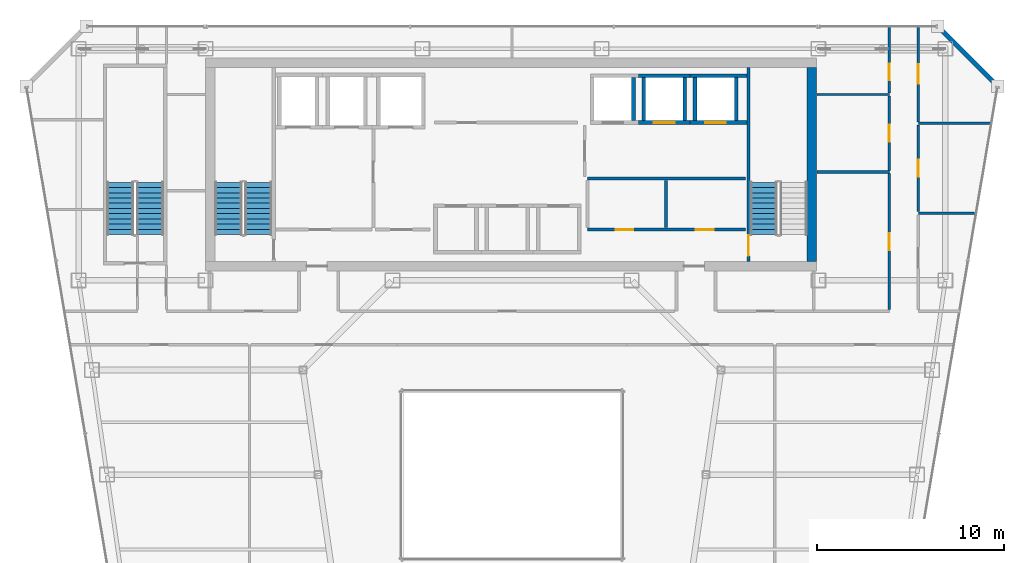
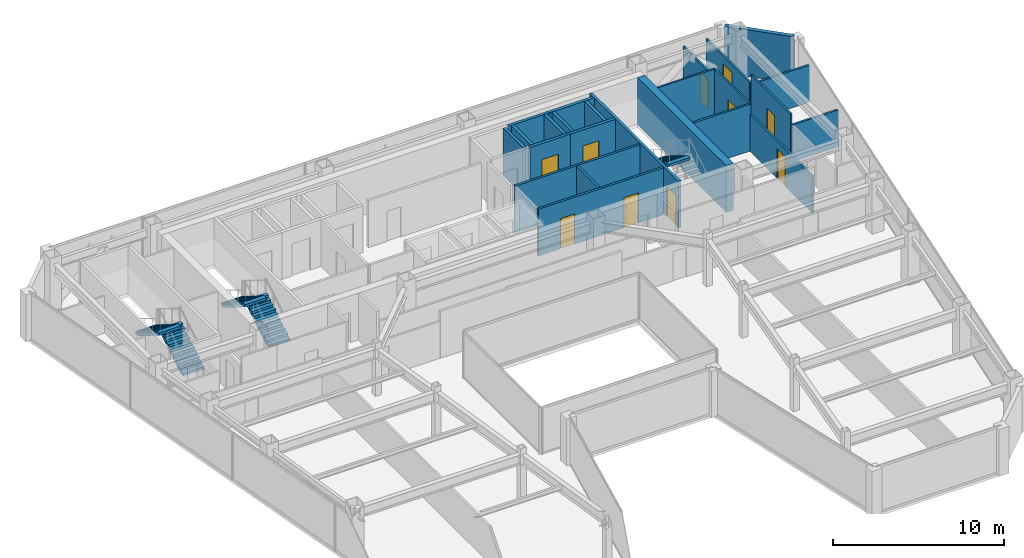
# One storey, part 30 of 34: 24 walls, 10 doors, 5 stair flights, 10 openings, 3 elements without a shape of their own.
"""IFC4 building model written with IfcOpenShell, lengths in metres."""

from ifc_helpers import new_model, si_unit, direction, frame, frame_2d, origin, place, context, subcontext, project, spatial, polyline, rectangle, outline, extrude, material, layer, layer_set, type_object, element, fill, aggregate, save


model = new_model("IFC4")

# Units and contexts
model_context = context("Model", 3, precision=1e-05, world=origin(), true_north=direction((0.0, 1.0)))
body_context = subcontext(model_context, "Body", "Model", "MODEL_VIEW")
ifc_project = project(units=[si_unit("LENGTHUNIT", "METRE"), si_unit("AREAUNIT", "SQUARE_METRE"), si_unit("VOLUMEUNIT", "CUBIC_METRE"), si_unit("PLANEANGLEUNIT", "RADIAN"), si_unit("MASSUNIT", "GRAM", prefix="KILO")], contexts=[model_context])

# Site, building, storey
site_placement = place(None, origin())
site = spatial("IfcSite", under=ifc_project, at=site_placement, CompositionType="ELEMENT")
building_placement = place(site_placement, origin())
building = spatial("IfcBuilding", under=site, at=building_placement, Name="Saevonmaru Cultural Tower", CompositionType="ELEMENT")
storey_placement = place(building_placement, frame((0.0, 0.0, 220.800048828125)))
storey = spatial("IfcBuildingStorey", under=building, at=storey_placement, Name="L51", CompositionType="ELEMENT", Elevation=220.800048828125)

# Wall
ifc_material_1 = material(Name="Concrete C60/75", Category="concrete")
ifc_layer_1 = layer(ifc_material_1, 0.5, Name="Concrete C60/75")
ifc_layer_set_1 = layer_set([ifc_layer_1], Name="Concrete C60/75")
wall_type_1 = type_object("IfcWallType", Name="WL-CORE-500", PredefinedType="SHEAR", material=ifc_layer_set_1)
wall_1_placement = place(storey_placement, frame((46.050048828125, 43.39990234375, 0.0), z_axis=(0.0, 0.0, 1.0), x_axis=(0.0, 1.0, 0.0)))
element("IfcWall", 1, at=wall_1_placement, inside=storey, type_object=wall_type_1, Name="L51 Tower RC core shear wall E", PredefinedType="SHEAR", context=body_context, shape_type="SweptSolid", body=[
    extrude(rectangle(XDim=10.400146484375, YDim=0.5, at=frame_2d((5.2001953125, 0.0))), origin(), (0.0, 0.0, 1.0), 3.349853515625),
])

# Wall, openings, doors
ifc_material_2 = material(Name="Gypsum Fireboard Partition", Category="gypsum")
ifc_layer_2 = layer(ifc_material_2, 0.14990234375, Name="Gypsum Fireboard Partition")
ifc_layer_set_2 = layer_set([ifc_layer_2], Name="Gypsum Fireboard Partition")
wall_type_2 = type_object("IfcWallType", Name="WL-CORE-PART-150", PredefinedType="PARTITIONING", material=ifc_layer_set_2)
wall_2_placement = place(storey_placement, frame((34.050048828125, 45.1201171875, 0.0), z_axis=(0.0, 0.0, 1.0), x_axis=(1.0, 0.0, 0.0)))
wall_2 = element("IfcWall", 2, at=wall_2_placement, inside=storey, type_object=wall_type_2, Name="L51 Core Plant South Wall", PredefinedType="PARTITIONING", context=body_context, shape_type="SweptSolid", body=[
    extrude(rectangle(XDim=8.449951171875, YDim=0.14990234375, at=frame_2d((4.22509765625, 0.0))), origin(), (0.0, 0.0, 1.0), 3.349853515625),
])
opening_1_placement = place(wall_2_placement, frame((1.5, 0.0, 0.0)))
opening_1 = element("IfcOpeningElement", 3, at=opening_1_placement, cuts=wall_2, Name="Opening FD-4", PredefinedType="OPENING", context=body_context, shape_type="SweptSolid", body=[
    extrude(rectangle(XDim=0.949951171875, YDim=2.14990234375, at=frame_2d((0.47509765625, 1.074951171875))), frame((0.0, 0.0849609375, 0.0), z_axis=(0.0, -1.0, 0.0), x_axis=(1.0, 0.0, 0.0)), (0.0, 0.0, 1.0), 0.169921875),
])
opening_2_placement = place(wall_2_placement, frame((5.800048828125, 0.0, 0.0)))
opening_2 = element("IfcOpeningElement", 4, at=opening_2_placement, cuts=wall_2, Name="Opening FD-4", PredefinedType="OPENING", context=body_context, shape_type="SweptSolid", body=[
    extrude(rectangle(XDim=0.949951171875, YDim=2.14990234375, at=frame_2d((0.47509765625, 1.074951171875))), frame((0.0, 0.0849609375, 0.0), z_axis=(0.0, -1.0, 0.0), x_axis=(1.0, 0.0, 0.0)), (0.0, 0.0, 1.0), 0.169921875),
])
ifc_material_3 = material(Name="Satin Bronze Anodised Aluminium", Category="aluminium")
door_type_1 = type_object("IfcDoorType", Name="DR-FD60-950", OperationType="SINGLE_SWING_LEFT", PredefinedType="DOOR", material=ifc_material_3)
door_1_placement = place(opening_1_placement, origin())
door_1 = element("IfcDoor", 5, at=door_1_placement, inside=storey, type_object=door_type_1, Name="L51 Floor AHU Plant Door", OperationType="SINGLE_SWING_LEFT", OverallHeight=2.14990234375, OverallWidth=0.949951171875, PredefinedType="DOOR", context=body_context, shape_type="SweptSolid", body=[
    extrude(rectangle(XDim=0.949951171875, YDim=2.14990234375, at=frame_2d((0.47509765625, 1.074951171875))), frame((0.0, 0.02490234375, 0.0), z_axis=(0.0, -1.0, 0.0), x_axis=(1.0, 0.0, 0.0)), (0.0, 0.0, 1.0), 0.050048828125),
])
fill(opening_1, door_1)
door_2_placement = place(opening_2_placement, origin())
door_2 = element("IfcDoor", 6, at=door_2_placement, inside=storey, type_object=door_type_1, Name="L51 Housekeeping Storage Door", OperationType="SINGLE_SWING_LEFT", OverallHeight=2.14990234375, OverallWidth=0.949951171875, PredefinedType="DOOR", context=body_context, shape_type="SweptSolid", body=[
    extrude(rectangle(XDim=0.949951171875, YDim=2.14990234375, at=frame_2d((0.47509765625, 1.074951171875))), frame((0.0, 0.02490234375, 0.0), z_axis=(0.0, -1.0, 0.0), x_axis=(1.0, 0.0, 0.0)), (0.0, 0.0, 1.0), 0.050048828125),
])
fill(opening_2, door_2)

# Walls
wall_3_placement = place(storey_placement, frame((34.050048828125, 47.85009765625, 0.0), z_axis=(0.0, 0.0, 1.0), x_axis=(1.0, 0.0, 0.0)))
element("IfcWall", 7, at=wall_3_placement, inside=storey, type_object=wall_type_2, Name="L51 Core Plant North Wall", PredefinedType="PARTITIONING", context=body_context, shape_type="SweptSolid", body=[
    extrude(rectangle(XDim=8.449951171875, YDim=0.14990234375, at=frame_2d((4.22509765625, 0.0))), origin(), (0.0, 0.0, 1.0), 3.349853515625),
])
wall_4_placement = place(storey_placement, frame((38.25, 45.219970703125, 0.0), z_axis=(0.0, 0.0, 1.0), x_axis=(0.0, 1.0, 0.0)))
element("IfcWall", 8, at=wall_4_placement, inside=storey, type_object=wall_type_2, Name="L51 Core Plant Split", PredefinedType="PARTITIONING", context=body_context, shape_type="SweptSolid", body=[
    extrude(rectangle(XDim=2.530029296875, YDim=0.14990234375, at=frame_2d((1.26513671875, 0.0))), origin(), (0.0, 0.0, 1.0), 3.349853515625),
])
ifc_material_4 = material(Name="Granite-Clad Precast Concrete C40/50", Category="masonry")
ifc_layer_3 = layer(ifc_material_4, 0.260009765625, Name="Granite-Clad Precast Concrete C40/50")
ifc_layer_set_3 = layer_set([ifc_layer_3], Name="Granite-Clad Precast Concrete C40/50")
wall_type_3 = type_object("IfcWallType", Name="WL-EXT-SPANDREL-260", PredefinedType="STANDARD", material=ifc_layer_set_3)
wall_5_placement = place(storey_placement, frame((55.886962890625, 52.9130859375, 0.0), z_axis=(0.0, 0.0, 1.0), x_axis=(-0.707106781187, 0.707106781187, 0.0)))
element("IfcWall", 9, at=wall_5_placement, inside=storey, type_object=wall_type_3, Name="L51 Chamfer Corner Spandrel Wall E9", PredefinedType="STANDARD", context=body_context, shape_type="SweptSolid", body=[
    extrude(rectangle(XDim=4.205810546875, YDim=0.260009765625, at=frame_2d((2.10302734375, 0.0))), origin(), (0.0, 0.0, 1.0), 3.349853515625),
])
ifc_layer_4 = layer(ifc_material_2, 0.1201171875, Name="Gypsum Fireboard Partition")
ifc_layer_set_4 = layer_set([ifc_layer_4], Name="Gypsum Fireboard Partition")
wall_type_4 = type_object("IfcWallType", Name="WL-PART-GYP-120", PredefinedType="PARTITIONING", material=ifc_layer_set_4)
wall_6_placement = place(storey_placement, frame((46.320068359375, 52.35009765625, 0.0), z_axis=(0.0, 0.0, 1.0), x_axis=(1.0, 0.0, 0.0)))
element("IfcWall", 10, at=wall_6_placement, inside=storey, type_object=wall_type_4, Name="L51 North-East Panorama South Wall", PredefinedType="PARTITIONING", context=body_context, shape_type="SweptSolid", body=[
    extrude(rectangle(XDim=3.8798828125, YDim=0.1201171875, at=frame_2d((1.93994140625, 0.0))), origin(), (0.0, 0.0, 1.0), 3.349853515625),
])

# Wall, opening, door
wall_7_placement = place(storey_placement, frame((50.199951171875, 48.2900390625, 0.0), z_axis=(0.0, 0.0, 1.0), x_axis=(0.0, 1.0, 0.0)))
wall_7 = element("IfcWall", 11, at=wall_7_placement, inside=storey, type_object=wall_type_4, Name="L51 Design Seminar Classroom Corridor Wall", PredefinedType="PARTITIONING", context=body_context, shape_type="SweptSolid", body=[
    extrude(rectangle(XDim=3.97998046875, YDim=0.1201171875, at=frame_2d((1.989990234375, 0.0))), origin(), (0.0, 0.0, 1.0), 3.349853515625),
])
opening_3_placement = place(wall_7_placement, frame((1.5400390625, 0.0, 0.0)))
opening_3 = element("IfcOpeningElement", 12, at=opening_3_placement, cuts=wall_7, Name="Opening ID-2", PredefinedType="OPENING", context=body_context, shape_type="SweptSolid", body=[
    extrude(rectangle(XDim=0.89990234375, YDim=2.10009765625, at=frame_2d((0.449951171875, 1.050048828125))), frame((0.0, 0.070068359375, 0.0), z_axis=(0.0, -1.0, 0.0), x_axis=(1.0, 0.0, 0.0)), (0.0, 0.0, 1.0), 0.14013671875),
])
ifc_material_5 = material(Name="Acoustic Stained Oak Timber", Category="wood")
door_type_2 = type_object("IfcDoorType", Name="DR-INT-900", OperationType="SINGLE_SWING_RIGHT", PredefinedType="DOOR", material=ifc_material_5)
door_3_placement = place(opening_3_placement, origin())
door_3 = element("IfcDoor", 13, at=door_3_placement, inside=storey, type_object=door_type_2, Name="L51 Design Seminar Classroom Door", OperationType="SINGLE_SWING_LEFT", OverallHeight=2.10009765625, OverallWidth=0.89990234375, PredefinedType="DOOR", context=body_context, shape_type="SweptSolid", body=[
    extrude(rectangle(XDim=0.89990234375, YDim=2.10009765625, at=frame_2d((0.449951171875, 1.050048828125))), frame((0.0, 0.02490234375, 0.0), z_axis=(0.0, -1.0, 0.0), x_axis=(1.0, 0.0, 0.0)), (0.0, 0.0, 1.0), 0.050048828125),
])
fill(opening_3, door_3)

wall_8_placement = place(storey_placement, frame((50.199951171875, 52.429931640625, 0.0), z_axis=(0.0, 0.0, 1.0), x_axis=(0.0, 1.0, 0.0)))
wall_8 = element("IfcWall", 14, at=wall_8_placement, inside=storey, type_object=wall_type_4, Name="L51 Printmaking Workshop Classroom Corridor Wall", PredefinedType="PARTITIONING", context=body_context, shape_type="SweptSolid", body=[
    extrude(rectangle(XDim=3.565185546875, YDim=0.1201171875, at=frame_2d((1.78271484375, 0.0))), origin(), (0.0, 0.0, 1.0), 2.73486328125),
])
opening_4_placement = place(wall_8_placement, frame((0.672119140625, 0.0, 0.0)))
opening_4 = element("IfcOpeningElement", 15, at=opening_4_placement, cuts=wall_8, Name="Opening ID-2", PredefinedType="OPENING", context=body_context, shape_type="SweptSolid", body=[
    extrude(rectangle(XDim=0.89990234375, YDim=2.10009765625, at=frame_2d((0.449951171875, 1.050048828125))), frame((0.0, 0.070068359375, 0.0), z_axis=(0.0, -1.0, 0.0), x_axis=(1.0, 0.0, 0.0)), (0.0, 0.0, 1.0), 0.14013671875),
])
door_4_placement = place(opening_4_placement, origin())
door_4 = element("IfcDoor", 16, at=door_4_placement, inside=storey, type_object=door_type_2, Name="L51 Printmaking Workshop Classroom Door", OperationType="SINGLE_SWING_RIGHT", OverallHeight=2.10009765625, OverallWidth=0.89990234375, PredefinedType="DOOR", context=body_context, shape_type="SweptSolid", body=[
    extrude(rectangle(XDim=0.89990234375, YDim=2.10009765625, at=frame_2d((0.449951171875, 1.050048828125))), frame((0.0, 0.02490234375, 0.0), z_axis=(0.0, -1.0, 0.0), x_axis=(1.0, 0.0, 0.0)), (0.0, 0.0, 1.0), 0.050048828125),
])
fill(opening_4, door_4)

wall_9_placement = place(storey_placement, frame((51.75, 46.08740234375, 0.0), z_axis=(0.0, 0.0, 1.0), x_axis=(0.0, 1.0, 0.0)))
wall_9 = element("IfcWall", 17, at=wall_9_placement, inside=storey, type_object=wall_type_4, Name="L51 Civic Policy Meeting Room Corridor Wall", PredefinedType="PARTITIONING", context=body_context, shape_type="SweptSolid", body=[
    extrude(rectangle(XDim=4.625, YDim=0.1201171875, at=frame_2d((2.3125, 0.0))), origin(), (0.0, 0.0, 1.0), 3.349853515625),
])
opening_5_placement = place(wall_9_placement, frame((1.863037109375, 0.0, 0.0)))
opening_5 = element("IfcOpeningElement", 18, at=opening_5_placement, cuts=wall_9, Name="Opening ID-2", PredefinedType="OPENING", context=body_context, shape_type="SweptSolid", body=[
    extrude(rectangle(XDim=0.89990234375, YDim=2.10009765625, at=frame_2d((0.449951171875, 1.050048828125))), frame((0.0, 0.070068359375, 0.0), z_axis=(0.0, -1.0, 0.0), x_axis=(1.0, 0.0, 0.0)), (0.0, 0.0, 1.0), 0.14013671875),
])
door_5_placement = place(opening_5_placement, origin())
door_5 = element("IfcDoor", 19, at=door_5_placement, inside=storey, type_object=door_type_2, Name="L51 Civic Policy Meeting Room Door", OperationType="SINGLE_SWING_RIGHT", OverallHeight=2.10009765625, OverallWidth=0.89990234375, PredefinedType="DOOR", context=body_context, shape_type="SweptSolid", body=[
    extrude(rectangle(XDim=0.89990234375, YDim=2.10009765625, at=frame_2d((0.449951171875, 1.050048828125))), frame((0.0, 0.02490234375, 0.0), z_axis=(0.0, -1.0, 0.0), x_axis=(1.0, 0.0, 0.0)), (0.0, 0.0, 1.0), 0.050048828125),
])
fill(opening_5, door_5)

wall_10_placement = place(storey_placement, frame((51.75, 50.887451171875, 0.0), z_axis=(0.0, 0.0, 1.0), x_axis=(0.0, 1.0, 0.0)))
wall_10 = element("IfcWall", 20, at=wall_10_placement, inside=storey, type_object=wall_type_4, Name="L51 Panorama Reading Room Corridor Wall", PredefinedType="PARTITIONING", context=body_context, shape_type="SweptSolid", body=[
    extrude(rectangle(XDim=5.107666015625, YDim=0.1201171875, at=frame_2d((2.5537109375, 0.0))), origin(), (0.0, 0.0, 1.0), 2.73486328125),
])
opening_6_placement = place(wall_10_placement, frame((2.029052734375, 0.0, 0.0)))
opening_6 = element("IfcOpeningElement", 21, at=opening_6_placement, cuts=wall_10, Name="Opening ID-1", PredefinedType="OPENING", context=body_context, shape_type="SweptSolid", body=[
    extrude(rectangle(XDim=1.050048828125, YDim=2.14990234375, at=frame_2d((0.52490234375, 1.074951171875))), frame((0.0, 0.070068359375, 0.0), z_axis=(0.0, -1.0, 0.0), x_axis=(1.0, 0.0, 0.0)), (0.0, 0.0, 1.0), 0.14013671875),
])
door_type_3 = type_object("IfcDoorType", Name="DR-INT-1050", OperationType="SINGLE_SWING_LEFT", PredefinedType="DOOR", material=ifc_material_3)
door_6_placement = place(opening_6_placement, origin())
door_6 = element("IfcDoor", 22, at=door_6_placement, inside=storey, type_object=door_type_3, Name="L51 Panorama Reading Room Door", OperationType="SINGLE_SWING_LEFT", OverallHeight=2.14990234375, OverallWidth=1.050048828125, PredefinedType="DOOR", context=body_context, shape_type="SweptSolid", body=[
    extrude(rectangle(XDim=1.050048828125, YDim=2.14990234375, at=frame_2d((0.52490234375, 1.074951171875))), frame((0.0, 0.02490234375, 0.0), z_axis=(0.0, -1.0, 0.0), x_axis=(1.0, 0.0, 0.0)), (0.0, 0.0, 1.0), 0.050048828125),
])
fill(opening_6, door_6)

# Walls
ifc_layer_5 = layer(ifc_material_2, 0.135009765625, Name="Gypsum Fireboard Partition")
ifc_layer_set_5 = layer_set([ifc_layer_5], Name="Gypsum Fireboard Partition")
wall_type_5 = type_object("IfcWallType", Name="WL-PART-GYP-135", PredefinedType="PARTITIONING", material=ifc_layer_set_5)
wall_11_placement = place(storey_placement, frame((51.75, 46.0, 0.0), z_axis=(0.0, 0.0, 1.0), x_axis=(1.0, 0.0, 0.0)))
element("IfcWall", 23, at=wall_11_placement, inside=storey, type_object=wall_type_5, Name="L51 NE Studio Divider 1", PredefinedType="PARTITIONING", context=body_context, shape_type="SweptSolid", body=[
    extrude(rectangle(XDim=3.09375, YDim=0.135009765625, at=frame_2d((1.546875, 0.0))), origin(), (0.0, 0.0, 1.0), 2.635009765625),
])
wall_12_placement = place(storey_placement, frame((51.75, 50.800048828125, 0.0), z_axis=(0.0, 0.0, 1.0), x_axis=(1.0, 0.0, 0.0)))
element("IfcWall", 24, at=wall_12_placement, inside=storey, type_object=wall_type_5, Name="L51 NE Studio Divider 2", PredefinedType="PARTITIONING", context=body_context, shape_type="SweptSolid", body=[
    extrude(rectangle(XDim=3.90625, YDim=0.135009765625, at=frame_2d((1.953125, 0.0))), origin(), (0.0, 0.0, 1.0), 2.635009765625),
])
ifc_layer_6 = layer(ifc_material_2, 0.139892578125, Name="Gypsum Fireboard Partition")
ifc_layer_set_6 = layer_set([ifc_layer_6], Name="Gypsum Fireboard Partition")
wall_type_6 = type_object("IfcWallType", Name="WL-PART-WET-140", PredefinedType="PARTITIONING", material=ifc_layer_set_6)
wall_13_placement = place(storey_placement, frame((46.320068359375, 48.199951171875, 0.0), z_axis=(0.0, 0.0, 1.0), x_axis=(1.0, 0.0, 0.0)))
element("IfcWall", 25, at=wall_13_placement, inside=storey, type_object=wall_type_6, Name="L51 Washroom North Wall", PredefinedType="PARTITIONING", context=body_context, shape_type="SweptSolid", body=[
    extrude(rectangle(XDim=3.8798828125, YDim=0.139892578125, at=frame_2d((1.93994140625, 0.0))), origin(), (0.0, 0.0, 1.0), 3.349853515625),
])

# Wall, opening, door
wall_14_placement = place(storey_placement, frame((50.199951171875, 40.840087890625, 0.0), z_axis=(0.0, 0.0, 1.0), x_axis=(0.0, 1.0, 0.0)))
wall_14 = element("IfcWall", 26, at=wall_14_placement, inside=storey, type_object=wall_type_6, Name="L51 Washroom Corridor Wall", PredefinedType="PARTITIONING", context=body_context, shape_type="SweptSolid", body=[
    extrude(rectangle(XDim=7.27001953125, YDim=0.139892578125, at=frame_2d((3.635009765625, 0.0))), origin(), (0.0, 0.0, 1.0), 2.635009765625),
])
opening_7_placement = place(wall_14_placement, frame((3.18505859375, 0.0, 0.0)))
opening_7 = element("IfcOpeningElement", 27, at=opening_7_placement, cuts=wall_14, Name="Opening ID-2", PredefinedType="OPENING", context=body_context, shape_type="SweptSolid", body=[
    extrude(rectangle(XDim=0.89990234375, YDim=2.10009765625, at=frame_2d((0.449951171875, 1.050048828125))), frame((0.0, 0.080078125, 0.0), z_axis=(0.0, -1.0, 0.0), x_axis=(1.0, 0.0, 0.0)), (0.0, 0.0, 1.0), 0.159912109375),
])
door_7_placement = place(opening_7_placement, origin())
door_7 = element("IfcDoor", 28, at=door_7_placement, inside=storey, type_object=door_type_2, Name="L51 Public Accessible Washrooms Door", OperationType="SINGLE_SWING_RIGHT", OverallHeight=2.10009765625, OverallWidth=0.89990234375, PredefinedType="DOOR", context=body_context, shape_type="SweptSolid", body=[
    extrude(rectangle(XDim=0.89990234375, YDim=2.10009765625, at=frame_2d((0.449951171875, 1.050048828125))), frame((0.0, 0.02490234375, 0.0), z_axis=(0.0, -1.0, 0.0), x_axis=(1.0, 0.0, 0.0)), (0.0, 0.0, 1.0), 0.050048828125),
])
fill(opening_7, door_7)

# Wall
ifc_material_6 = material(Name="Concrete C40/50", Category="concrete")
ifc_layer_7 = layer(ifc_material_6, 0.199951171875, Name="Concrete C40/50")
ifc_layer_set_7 = layer_set([ifc_layer_7], Name="Concrete C40/50")
wall_type_7 = type_object("IfcWallType", Name="WL-SHAFT-200", PredefinedType="SHEAR", material=ifc_layer_set_7)
wall_15_placement = place(storey_placement, frame((36.5, 50.949951171875, 0.0), z_axis=(0.0, 0.0, 1.0), x_axis=(0.0, 1.0, 0.0)))
element("IfcWall", 29, at=wall_15_placement, inside=storey, type_object=wall_type_7, Name="L51 Lift PL-H1 Hoistway Wall E", PredefinedType="SHEAR", context=body_context, shape_type="SweptSolid", body=[
    extrude(rectangle(XDim=2.300048828125, YDim=0.199951171875, at=frame_2d((1.14990234375, 0.0))), origin(), (0.0, 0.0, 1.0), 3.349853515625),
])

# Wall, opening, door
wall_16_placement = place(storey_placement, frame((36.77490234375, 50.85009765625, 0.0), z_axis=(0.0, 0.0, 1.0), x_axis=(1.0, 0.0, 0.0)))
wall_16 = element("IfcWall", 30, at=wall_16_placement, inside=storey, type_object=wall_type_7, Name="L51 Lift PL-H2 Hoistway Wall S", PredefinedType="SHEAR", context=body_context, shape_type="SweptSolid", body=[
    extrude(rectangle(XDim=2.75, YDim=0.199951171875, at=frame_2d((1.375, 0.0))), origin(), (0.0, 0.0, 1.0), 3.349853515625),
])
opening_8_placement = place(wall_16_placement, frame((0.824951171875, 0.0, 0.0)))
opening_8 = element("IfcOpeningElement", 31, at=opening_8_placement, cuts=wall_16, Name="Opening LD-1", PredefinedType="OPENING", context=body_context, shape_type="SweptSolid", body=[
    extrude(rectangle(XDim=1.10009765625, YDim=2.199951171875, at=frame_2d((0.550048828125, 1.10009765625))), frame((0.0, 0.10986328125, 0.0), z_axis=(0.0, -1.0, 0.0), x_axis=(1.0, 0.0, 0.0)), (0.0, 0.0, 1.0), 0.219970703125),
])
ifc_material_7 = material(Name="Satin Bronze Stainless Steel", Category="steel")
door_type_4 = type_object("IfcDoorType", Name="DR-LIFT-1100", OperationType="SLIDING_TO_LEFT", PredefinedType="DOOR", material=ifc_material_7)
door_8_placement = place(opening_8_placement, origin())
door_8 = element("IfcDoor", 32, at=door_8_placement, inside=storey, type_object=door_type_4, Name="L51 Lift PL-H2 Sliding Landing Door", OperationType="SLIDING_TO_LEFT", OverallHeight=2.199951171875, OverallWidth=1.10009765625, PredefinedType="DOOR", context=body_context, shape_type="SweptSolid", body=[
    extrude(rectangle(XDim=1.10009765625, YDim=2.199951171875, at=frame_2d((0.550048828125, 1.10009765625))), frame((0.0, 0.02490234375, 0.0), z_axis=(0.0, -1.0, 0.0), x_axis=(1.0, 0.0, 0.0)), (0.0, 0.0, 1.0), 0.050048828125),
])
fill(opening_8, door_8)

# Walls
wall_17_placement = place(storey_placement, frame((36.77490234375, 53.35009765625, 0.0), z_axis=(0.0, 0.0, 1.0), x_axis=(1.0, 0.0, 0.0)))
element("IfcWall", 33, at=wall_17_placement, inside=storey, type_object=wall_type_7, Name="L51 Lift PL-H2 Hoistway Wall N", PredefinedType="SHEAR", context=body_context, shape_type="SweptSolid", body=[
    extrude(rectangle(XDim=2.75, YDim=0.199951171875, at=frame_2d((1.375, 0.0))), origin(), (0.0, 0.0, 1.0), 3.349853515625),
])
for number, where, z_axis, x_axis, name in (
    (34, (37.050048828125, 50.949951171875, 0.0), (0.0, 0.0, 1.0), (0.0, 1.0, 0.0), "L51 Lift PL-H2 Hoistway Wall W"),
    (35, (39.25, 50.949951171875, 0.0), (0.0, 0.0, 1.0), (0.0, 1.0, 0.0), "L51 Lift PL-H2 Hoistway Wall E"),
):
    element("IfcWall", number, at=place(storey_placement, frame(where, z_axis=z_axis, x_axis=x_axis)), inside=storey, type_object=wall_type_7, Name=name, PredefinedType="SHEAR", context=body_context, shape_type="SweptSolid", body=[
        extrude(rectangle(XDim=2.300048828125, YDim=0.199951171875, at=frame_2d((1.14990234375, 0.0))), origin(), (0.0, 0.0, 1.0), 3.349853515625),
    ])

# Wall, opening, door
wall_18_placement = place(storey_placement, frame((39.52490234375, 50.85009765625, 0.0), z_axis=(0.0, 0.0, 1.0), x_axis=(1.0, 0.0, 0.0)))
wall_18 = element("IfcWall", 36, at=wall_18_placement, inside=storey, type_object=wall_type_7, Name="L51 Lift PL-H3 Hoistway Wall S", PredefinedType="SHEAR", context=body_context, shape_type="SweptSolid", body=[
    extrude(rectangle(XDim=3.045166015625, YDim=0.199951171875, at=frame_2d((1.5224609375, 0.0))), origin(), (0.0, 0.0, 1.0), 3.349853515625),
])
opening_9_placement = place(wall_18_placement, frame((0.824951171875, 0.0, 0.0)))
opening_9 = element("IfcOpeningElement", 37, at=opening_9_placement, cuts=wall_18, Name="Opening LD-1", PredefinedType="OPENING", context=body_context, shape_type="SweptSolid", body=[
    extrude(rectangle(XDim=1.10009765625, YDim=2.199951171875, at=frame_2d((0.550048828125, 1.10009765625))), frame((0.0, 0.10986328125, 0.0), z_axis=(0.0, -1.0, 0.0), x_axis=(1.0, 0.0, 0.0)), (0.0, 0.0, 1.0), 0.219970703125),
])
door_9_placement = place(opening_9_placement, origin())
door_9 = element("IfcDoor", 38, at=door_9_placement, inside=storey, type_object=door_type_4, Name="L51 Lift PL-H3 Sliding Landing Door", OperationType="SLIDING_TO_LEFT", OverallHeight=2.199951171875, OverallWidth=1.10009765625, PredefinedType="DOOR", context=body_context, shape_type="SweptSolid", body=[
    extrude(rectangle(XDim=1.10009765625, YDim=2.199951171875, at=frame_2d((0.550048828125, 1.10009765625))), frame((0.0, 0.02490234375, 0.0), z_axis=(0.0, -1.0, 0.0), x_axis=(1.0, 0.0, 0.0)), (0.0, 0.0, 1.0), 0.050048828125),
])
fill(opening_9, door_9)

# Walls
wall_19_placement = place(storey_placement, frame((39.52490234375, 53.35009765625, 0.0), z_axis=(0.0, 0.0, 1.0), x_axis=(1.0, 0.0, 0.0)))
element("IfcWall", 39, at=wall_19_placement, inside=storey, type_object=wall_type_7, Name="L51 Lift PL-H3 Hoistway Wall N", PredefinedType="SHEAR", context=body_context, shape_type="SweptSolid", body=[
    extrude(rectangle(XDim=3.045166015625, YDim=0.199951171875, at=frame_2d((1.5224609375, 0.0))), origin(), (0.0, 0.0, 1.0), 3.349853515625),
])
for number, where, z_axis, x_axis, name in (
    (40, (39.800048828125, 50.949951171875, 0.0), (0.0, 0.0, 1.0), (0.0, 1.0, 0.0), "L51 Lift PL-H3 Hoistway Wall W"),
    (41, (42.0, 50.949951171875, 0.0), (0.0, 0.0, 1.0), (0.0, 1.0, 0.0), "L51 Lift PL-H3 Hoistway Wall E"),
):
    element("IfcWall", number, at=place(storey_placement, frame(where, z_axis=z_axis, x_axis=x_axis)), inside=storey, type_object=wall_type_7, Name=name, PredefinedType="SHEAR", context=body_context, shape_type="SweptSolid", body=[
        extrude(rectangle(XDim=2.300048828125, YDim=0.199951171875, at=frame_2d((1.14990234375, 0.0))), origin(), (0.0, 0.0, 1.0), 3.349853515625),
    ])

# Wall, opening, door
ifc_layer_8 = layer(ifc_material_6, 0.179931640625, Name="Concrete C40/50")
ifc_layer_set_8 = layer_set([ifc_layer_8], Name="Concrete C40/50")
wall_type_8 = type_object("IfcWallType", Name="WL-STSHAFT-180", PredefinedType="SHEAR", material=ifc_layer_set_8)
wall_20_placement = place(storey_placement, frame((42.659912109375, 53.800048828125, 0.0), z_axis=(0.0, 0.0, 1.0), x_axis=(0.0, -1.0, 0.0)))
wall_20 = element("IfcWall", 42, at=wall_20_placement, inside=storey, type_object=wall_type_8, Name="L51 Stair ST-2 Structural Shaft Wall 1", PredefinedType="SHEAR", context=body_context, shape_type="SweptSolid", body=[
    extrude(rectangle(XDim=10.400146484375, YDim=0.179931640625, at=frame_2d((5.2001953125, 0.0))), origin(), (0.0, 0.0, 1.0), 3.349853515625),
])
opening_10_placement = place(wall_20_placement, frame((8.989990234375, 0.0, 0.0)))
opening_10 = element("IfcOpeningElement", 43, at=opening_10_placement, cuts=wall_20, Name="Opening FD-2", PredefinedType="OPENING", context=body_context, shape_type="SweptSolid", body=[
    extrude(rectangle(XDim=1.10009765625, YDim=2.14990234375, at=frame_2d((0.550048828125, 1.074951171875))), frame((0.0, 0.10009765625, 0.0), z_axis=(0.0, -1.0, 0.0), x_axis=(1.0, 0.0, 0.0)), (0.0, 0.0, 1.0), 0.199951171875),
])
door_type_5 = type_object("IfcDoorType", Name="DR-FD60-1100", OperationType="SINGLE_SWING_LEFT", PredefinedType="DOOR", material=ifc_material_3)
door_10_placement = place(opening_10_placement, origin())
door_10 = element("IfcDoor", 44, at=door_10_placement, inside=storey, type_object=door_type_5, Name="L51 Protected Stair ST-2 Fire Door", OperationType="SINGLE_SWING_LEFT", OverallHeight=2.14990234375, OverallWidth=1.10009765625, PredefinedType="DOOR", context=body_context, shape_type="SweptSolid", body=[
    extrude(rectangle(XDim=1.10009765625, YDim=2.14990234375, at=frame_2d((0.550048828125, 1.074951171875))), frame((0.0, 0.02490234375, 0.0), z_axis=(0.0, -1.0, 0.0), x_axis=(1.0, 0.0, 0.0)), (0.0, 0.0, 1.0), 0.050048828125),
])
fill(opening_10, door_10)

# Stair, stair flights
stair_type = type_object("IfcStairType", Name="STR-DOGLEG-RC", PredefinedType="HALF_TURN_STAIR", material=ifc_material_6)
stair_1_placement = place(storey_placement, origin())
stair_1 = element("IfcStair", 45, at=stair_1_placement, inside=storey, type_object=stair_type, Name="L51 Protected exit stair ST-1", PredefinedType="HALF_TURN_STAIR")
ifc_material_8 = material(Name="Precast concrete C40/50", Category="concrete")
stair_flight_type = type_object("IfcStairFlightType", Name="STF-PRECAST-180", PredefinedType="STRAIGHT", material=ifc_material_8)
stair_flight_1_placement = place(storey_placement, frame((16.425048828125, 44.85009765625, 0.0), z_axis=(0.0, 0.0, 1.0), x_axis=(0.0, 1.0, 0.0)))
stair_flight_1 = element("IfcStairFlight", 46, at=stair_flight_1_placement, type_object=stair_flight_type, Name="ST-1-L51 flight 1", NumberOfRisers=11, NumberOfTreads=10, PredefinedType="STRAIGHT", RiserHeight=0.172727273, TreadLength=0.28, context=body_context, shape_type="SweptSolid", body=[
    extrude(outline(polyline([(0.0, 0.0), (0.0, 0.172607421875), (0.280029296875, 0.172607421875), (0.280029296875, 0.345458984375), (0.56005859375, 0.345458984375), (0.56005859375, 0.51806640625), (0.840087890625, 0.51806640625), (0.840087890625, 0.69091796875), (1.1201171875, 0.69091796875), (1.1201171875, 0.863525390625), (1.39990234375, 0.863525390625), (1.39990234375, 1.036376953125), (1.679931640625, 1.036376953125), (1.679931640625, 1.208984375), (1.9599609375, 1.208984375), (1.9599609375, 1.3818359375), (2.239990234375, 1.3818359375), (2.239990234375, 1.554443359375), (2.52001953125, 1.554443359375), (2.52001953125, 1.727294921875), (2.800048828125, 1.727294921875), (2.800048828125, 1.89990234375), (2.800048828125, 1.551025390625), (0.285400390625, 0.0), (0.0, 0.0)])), frame((0.0, 0.72509765625, 0.0), z_axis=(0.0, -1.0, 0.0), x_axis=(1.0, 0.0, 0.0)), (0.0, 0.0, 1.0), 1.449951171875),
])
stair_flight_2_placement = place(storey_placement, frame((14.824951171875, 47.64990234375, 1.89990234375), z_axis=(0.0, 0.0, 1.0), x_axis=(0.0, -1.0, 0.0)))
stair_flight_2 = element("IfcStairFlight", 47, at=stair_flight_2_placement, type_object=stair_flight_type, Name="ST-1-L51 flight 2", NumberOfRisers=11, NumberOfTreads=10, PredefinedType="STRAIGHT", RiserHeight=0.172727273, TreadLength=0.28, context=body_context, shape_type="SweptSolid", body=[
    extrude(outline(polyline([(0.0, 0.0), (0.0, 0.172607421875), (0.280029296875, 0.172607421875), (0.280029296875, 0.345458984375), (0.56005859375, 0.345458984375), (0.56005859375, 0.51806640625), (0.840087890625, 0.51806640625), (0.840087890625, 0.69091796875), (1.1201171875, 0.69091796875), (1.1201171875, 0.863525390625), (1.39990234375, 0.863525390625), (1.39990234375, 1.036376953125), (1.679931640625, 1.036376953125), (1.679931640625, 1.208984375), (1.9599609375, 1.208984375), (1.9599609375, 1.3818359375), (2.239990234375, 1.3818359375), (2.239990234375, 1.554443359375), (2.52001953125, 1.554443359375), (2.52001953125, 1.727294921875), (2.800048828125, 1.727294921875), (2.800048828125, 1.89990234375), (2.800048828125, 1.551025390625), (0.285400390625, 0.0), (0.0, 0.0)])), frame((0.0, 0.72509765625, 0.0), z_axis=(0.0, -1.0, 0.0), x_axis=(1.0, 0.0, 0.0)), (0.0, 0.0, 1.0), 1.449951171875),
])
aggregate(stair_1, [stair_flight_1, stair_flight_2])

# Stair, stair flight
stair_2_placement = place(storey_placement, origin())
stair_2 = element("IfcStair", 48, at=stair_2_placement, inside=storey, type_object=stair_type, Name="L51 Protected exit stair ST-2", PredefinedType="HALF_TURN_STAIR")
stair_flight_3_placement = place(storey_placement, frame((43.47509765625, 47.64990234375, 1.89990234375), z_axis=(0.0, 0.0, 1.0), x_axis=(0.0, -1.0, 0.0)))
stair_flight_3 = element("IfcStairFlight", 49, at=stair_flight_3_placement, type_object=stair_flight_type, Name="ST-2-L51 flight 2", NumberOfRisers=11, NumberOfTreads=10, PredefinedType="STRAIGHT", RiserHeight=0.172727273, TreadLength=0.28, context=body_context, shape_type="SweptSolid", body=[
    extrude(outline(polyline([(0.0, 0.0), (0.0, 0.172607421875), (0.280029296875, 0.172607421875), (0.280029296875, 0.345458984375), (0.56005859375, 0.345458984375), (0.56005859375, 0.51806640625), (0.840087890625, 0.51806640625), (0.840087890625, 0.69091796875), (1.1201171875, 0.69091796875), (1.1201171875, 0.863525390625), (1.39990234375, 0.863525390625), (1.39990234375, 1.036376953125), (1.679931640625, 1.036376953125), (1.679931640625, 1.208984375), (1.9599609375, 1.208984375), (1.9599609375, 1.3818359375), (2.239990234375, 1.3818359375), (2.239990234375, 1.554443359375), (2.52001953125, 1.554443359375), (2.52001953125, 1.727294921875), (2.800048828125, 1.727294921875), (2.800048828125, 1.89990234375), (2.800048828125, 1.551025390625), (0.285400390625, 0.0), (0.0, 0.0)])), frame((0.0, 0.72509765625, 0.0), z_axis=(0.0, -1.0, 0.0), x_axis=(1.0, 0.0, 0.0)), (0.0, 0.0, 1.0), 1.449951171875),
])
aggregate(stair_2, [stair_flight_3])

# Stair, stair flights
stair_3_placement = place(storey_placement, origin())
stair_3 = element("IfcStair", 50, at=stair_3_placement, inside=storey, type_object=stair_type, Name="L51 Protected exit stair ST-3", PredefinedType="HALF_TURN_STAIR")
stair_flight_4_placement = place(storey_placement, frame((10.625, 44.85009765625, 0.0), z_axis=(0.0, 0.0, 1.0), x_axis=(0.0, 1.0, 0.0)))
stair_flight_4 = element("IfcStairFlight", 51, at=stair_flight_4_placement, type_object=stair_flight_type, Name="ST-3-L51 flight 1", NumberOfRisers=11, NumberOfTreads=10, PredefinedType="STRAIGHT", RiserHeight=0.172727273, TreadLength=0.28, context=body_context, shape_type="SweptSolid", body=[
    extrude(outline(polyline([(0.0, 0.0), (0.0, 0.172607421875), (0.280029296875, 0.172607421875), (0.280029296875, 0.345458984375), (0.56005859375, 0.345458984375), (0.56005859375, 0.51806640625), (0.840087890625, 0.51806640625), (0.840087890625, 0.69091796875), (1.1201171875, 0.69091796875), (1.1201171875, 0.863525390625), (1.39990234375, 0.863525390625), (1.39990234375, 1.036376953125), (1.679931640625, 1.036376953125), (1.679931640625, 1.208984375), (1.9599609375, 1.208984375), (1.9599609375, 1.3818359375), (2.239990234375, 1.3818359375), (2.239990234375, 1.554443359375), (2.52001953125, 1.554443359375), (2.52001953125, 1.727294921875), (2.800048828125, 1.727294921875), (2.800048828125, 1.89990234375), (2.800048828125, 1.551025390625), (0.285400390625, 0.0), (0.0, 0.0)])), frame((0.0, 0.72509765625, 0.0), z_axis=(0.0, -1.0, 0.0), x_axis=(1.0, 0.0, 0.0)), (0.0, 0.0, 1.0), 1.449951171875),
])
stair_flight_5_placement = place(storey_placement, frame((9.02490234375, 47.64990234375, 1.89990234375), z_axis=(0.0, 0.0, 1.0), x_axis=(0.0, -1.0, 0.0)))
stair_flight_5 = element("IfcStairFlight", 52, at=stair_flight_5_placement, type_object=stair_flight_type, Name="ST-3-L51 flight 2", NumberOfRisers=11, NumberOfTreads=10, PredefinedType="STRAIGHT", RiserHeight=0.172727273, TreadLength=0.28, context=body_context, shape_type="SweptSolid", body=[
    extrude(outline(polyline([(0.0, 0.0), (0.0, 0.172607421875), (0.280029296875, 0.172607421875), (0.280029296875, 0.345458984375), (0.56005859375, 0.345458984375), (0.56005859375, 0.51806640625), (0.840087890625, 0.51806640625), (0.840087890625, 0.69091796875), (1.1201171875, 0.69091796875), (1.1201171875, 0.863525390625), (1.39990234375, 0.863525390625), (1.39990234375, 1.036376953125), (1.679931640625, 1.036376953125), (1.679931640625, 1.208984375), (1.9599609375, 1.208984375), (1.9599609375, 1.3818359375), (2.239990234375, 1.3818359375), (2.239990234375, 1.554443359375), (2.52001953125, 1.554443359375), (2.52001953125, 1.727294921875), (2.800048828125, 1.727294921875), (2.800048828125, 1.89990234375), (2.800048828125, 1.551025390625), (0.285400390625, 0.0), (0.0, 0.0)])), frame((0.0, 0.72509765625, 0.0), z_axis=(0.0, -1.0, 0.0), x_axis=(1.0, 0.0, 0.0)), (0.0, 0.0, 1.0), 1.449951171875),
])
aggregate(stair_3, [stair_flight_4, stair_flight_5])

save(model, "model.ifc")
